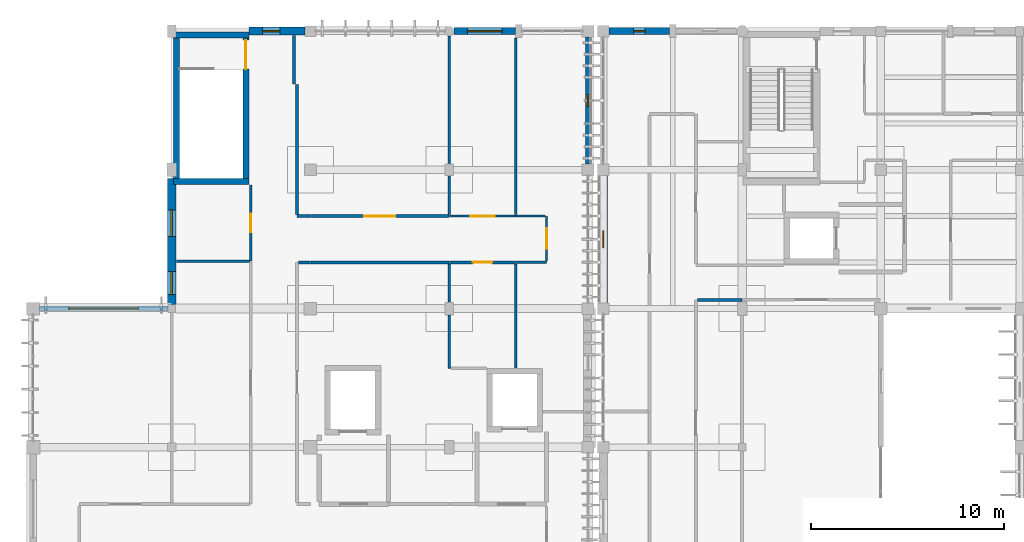
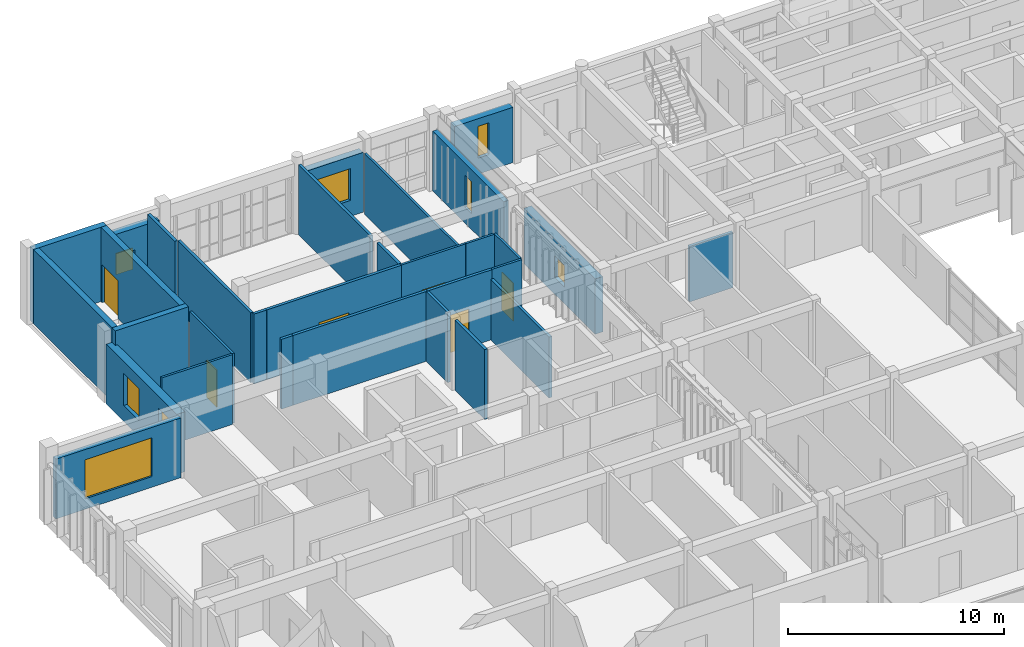
# One storey, part 38 of 55: 31 walls, 8 windows, 6 doors, 14 openings.
"""IFC4 building model written with IfcOpenShell, lengths in metres."""

from ifc_helpers import new_model, si_unit, direction, frame, frame_2d, origin, place, context, subcontext, project, spatial, rectangle, extrude, material, layer, layer_set, type_object, element, fill, save


model = new_model("IFC4")

# Units and contexts
model_context = context("Model", 3, precision=1e-05, world=origin(), true_north=direction((0.0, 1.0)))
body_context = subcontext(model_context, "Body", "Model", "MODEL_VIEW")
ifc_project = project(units=[si_unit("LENGTHUNIT", "METRE"), si_unit("AREAUNIT", "SQUARE_METRE"), si_unit("VOLUMEUNIT", "CUBIC_METRE"), si_unit("PLANEANGLEUNIT", "RADIAN"), si_unit("MASSUNIT", "GRAM", prefix="KILO")], contexts=[model_context])

# Site, building, storey
site_placement = place(None, origin())
site = spatial("IfcSite", under=ifc_project, at=site_placement, CompositionType="ELEMENT")
building_placement = place(site_placement, origin())
building = spatial("IfcBuilding", under=site, at=building_placement, Name="Steenspoor Specialist Clinic", CompositionType="ELEMENT")
storey_placement = place(building_placement, frame((0.0, 0.0, 13.199951171875)))
storey = spatial("IfcBuildingStorey", under=building, at=storey_placement, Name="L03", CompositionType="ELEMENT", Elevation=13.199951171875)

# Wall, opening, window
ifc_material_1 = material(Name="Extruded clay brick masonry", Category="masonry")
ifc_layer_1 = layer(ifc_material_1, 0.3798828125)
ifc_layer_set_1 = layer_set([ifc_layer_1], Name="Extruded clay brick masonry")
wall_type_1 = type_object("IfcWallType", Name="W-BRICK-380", PredefinedType="USERDEFINED", material=ifc_layer_set_1)
wall_1_placement = place(storey_placement, frame((52.699951171875, 108.35009765625, 0.0), z_axis=(0.0, 0.0, 1.0), x_axis=(1.0, 0.0, 0.0)))
wall_1 = element("IfcWall", 1, at=wall_1_placement, inside=storey, type_object=wall_type_1, Name="Exterior Brick Wall EW-V4-L03-0163", ObjectType="CAVITY VENEER", PredefinedType="USERDEFINED", context=body_context, shape_type="SweptSolid", body=[
    extrude(rectangle(XDim=3.130126953125, YDim=0.3798828125, at=frame_2d((1.56494140625, 0.0))), origin(), (0.0, 0.0, 1.0), 3.130126953125),
])
opening_1_placement = place(wall_1_placement, frame((1.264892578125, 0.0, 0.89990234375)))
opening_1 = element("IfcOpeningElement", 2, at=opening_1_placement, cuts=wall_1, Name="Opening WN-01", PredefinedType="OPENING", context=body_context, shape_type="SweptSolid", body=[
    extrude(rectangle(XDim=0.60009765625, YDim=1.800048828125, at=frame_2d((0.300048828125, 0.89990234375))), frame((0.0, 0.199951171875, 0.0), z_axis=(0.0, -1.0, 0.0), x_axis=(1.0, 0.0, 0.0)), (0.0, 0.0, 1.0), 0.39990234375),
])
ifc_material_2 = material(Name="Thermally broken aluminium and low-emissivity glass", Category="aluminium")
window_type_1 = type_object("IfcWindowType", Name="WN-EXT-060X180", PartitioningType="SINGLE_PANEL", PredefinedType="WINDOW", material=ifc_material_2)
window_1_placement = place(opening_1_placement, origin())
window_1 = element("IfcWindow", 3, at=window_1_placement, inside=storey, type_object=window_type_1, Name="Window 0190", OverallHeight=1.800048828125, OverallWidth=0.60009765625, PartitioningType="SINGLE_PANEL", PredefinedType="WINDOW", context=body_context, shape_type="SweptSolid", body=[
    extrude(rectangle(XDim=0.60009765625, YDim=1.800048828125, at=frame_2d((0.300048828125, 0.89990234375))), frame((0.0, 0.030029296875, 0.0), z_axis=(0.0, -1.0, 0.0), x_axis=(1.0, 0.0, 0.0)), (0.0, 0.0, 1.0), 0.06005859375),
])
fill(opening_1, window_1)

wall_2_placement = place(storey_placement, frame((44.64990234375, 108.35009765625, 0.0), z_axis=(0.0, 0.0, 1.0), x_axis=(1.0, 0.0, 0.0)))
wall_2 = element("IfcWall", 4, at=wall_2_placement, inside=storey, type_object=wall_type_1, Name="Exterior Brick Wall EW-V5-L03-0287", ObjectType="CAVITY VENEER", PredefinedType="USERDEFINED", context=body_context, shape_type="SweptSolid", body=[
    extrude(rectangle(XDim=3.18017578125, YDim=0.3798828125, at=frame_2d((1.590087890625, 0.0))), origin(), (0.0, 0.0, 1.0), 3.380126953125),
])
opening_2_placement = place(wall_2_placement, frame((0.68994140625, 0.0, 0.89990234375)))
opening_2 = element("IfcOpeningElement", 5, at=opening_2_placement, cuts=wall_2, Name="Opening WN-08", PredefinedType="OPENING", context=body_context, shape_type="SweptSolid", body=[
    extrude(rectangle(XDim=1.800048828125, YDim=1.800048828125, at=frame_2d((0.89990234375, 0.89990234375))), frame((0.0, 0.199951171875, 0.0), z_axis=(0.0, -1.0, 0.0), x_axis=(1.0, 0.0, 0.0)), (0.0, 0.0, 1.0), 0.39990234375),
])
window_type_2 = type_object("IfcWindowType", Name="WN-EXT-180X180", PartitioningType="SINGLE_PANEL", PredefinedType="WINDOW", material=ifc_material_2)
window_2_placement = place(opening_2_placement, origin())
window_2 = element("IfcWindow", 6, at=window_2_placement, inside=storey, type_object=window_type_2, Name="Window 0309", OverallHeight=1.800048828125, OverallWidth=1.800048828125, PartitioningType="SINGLE_PANEL", PredefinedType="WINDOW", context=body_context, shape_type="SweptSolid", body=[
    extrude(rectangle(XDim=1.800048828125, YDim=1.800048828125, at=frame_2d((0.89990234375, 0.89990234375))), frame((0.0, 0.030029296875, 0.0), z_axis=(0.0, -1.0, 0.0), x_axis=(1.0, 0.0, 0.0)), (0.0, 0.0, 1.0), 0.06005859375),
])
fill(opening_2, window_2)

ifc_layer_2 = layer(ifc_material_1, 0.409912109375)
ifc_layer_set_2 = layer_set([ifc_layer_2], Name="Extruded clay brick masonry")
wall_type_2 = type_object("IfcWallType", Name="W-BRICK-410", PredefinedType="USERDEFINED", material=ifc_layer_set_2)
wall_3_placement = place(storey_placement, frame((52.39990234375, 94.25, 0.0), z_axis=(0.0, 0.0, 1.0), x_axis=(0.0, 1.0, 0.0)))
wall_3 = element("IfcWall", 7, at=wall_3_placement, inside=storey, type_object=wall_type_2, Name="Exterior Brick Wall EW-V4-L03-0162", ObjectType="CAVITY VENEER", PredefinedType="USERDEFINED", context=body_context, shape_type="SweptSolid", body=[
    extrude(rectangle(XDim=6.60009765625, YDim=0.409912109375, at=frame_2d((3.300048828125, 0.0))), origin(), (0.0, 0.0, 1.0), 3.130126953125),
])
opening_3_placement = place(wall_3_placement, frame((2.85009765625, 0.0, 0.949951171875)))
opening_3 = element("IfcOpeningElement", 8, at=opening_3_placement, cuts=wall_3, Name="Opening WN-21", PredefinedType="OPENING", context=body_context, shape_type="SweptSolid", body=[
    extrude(rectangle(XDim=0.89990234375, YDim=1.199951171875, at=frame_2d((0.449951171875, 0.60009765625))), frame((0.0, 0.21484375, 0.0), z_axis=(0.0, -1.0, 0.0), x_axis=(1.0, 0.0, 0.0)), (0.0, 0.0, 1.0), 0.429931640625),
])
window_type_3 = type_object("IfcWindowType", Name="WN-EXT-090X120", PartitioningType="SINGLE_PANEL", PredefinedType="WINDOW", material=ifc_material_2)
window_3_placement = place(opening_3_placement, origin())
window_3 = element("IfcWindow", 9, at=window_3_placement, inside=storey, type_object=window_type_3, Name="Window 0189", OverallHeight=1.199951171875, OverallWidth=0.89990234375, PartitioningType="SINGLE_PANEL", PredefinedType="WINDOW", context=body_context, shape_type="SweptSolid", body=[
    extrude(rectangle(XDim=0.89990234375, YDim=1.199951171875, at=frame_2d((0.449951171875, 0.60009765625))), frame((0.0, 0.030029296875, 0.0), z_axis=(0.0, -1.0, 0.0), x_axis=(1.0, 0.0, 0.0)), (0.0, 0.0, 1.0), 0.06005859375),
])
fill(opening_3, window_3)

wall_4_placement = place(storey_placement, frame((34.0, 108.35009765625, 0.0), z_axis=(0.0, 0.0, 1.0), x_axis=(1.0, 0.0, 0.0)))
wall_4 = element("IfcWall", 10, at=wall_4_placement, inside=storey, type_object=wall_type_2, Name="Exterior Brick Wall EW-V5-L03-0286", ObjectType="CAVITY VENEER", PredefinedType="USERDEFINED", context=body_context, shape_type="SweptSolid", body=[
    extrude(rectangle(XDim=2.925048828125, YDim=0.409912109375, at=frame_2d((1.46240234375, 0.0))), origin(), (0.0, 0.0, 1.0), 3.380126953125),
])
opening_4_placement = place(wall_4_placement, frame((0.715087890625, 0.0, 0.949951171875)))
opening_4 = element("IfcOpeningElement", 11, at=opening_4_placement, cuts=wall_4, Name="Opening WN-21", PredefinedType="OPENING", context=body_context, shape_type="SweptSolid", body=[
    extrude(rectangle(XDim=0.89990234375, YDim=1.199951171875, at=frame_2d((0.449951171875, 0.60009765625))), frame((0.0, 0.21484375, 0.0), z_axis=(0.0, -1.0, 0.0), x_axis=(1.0, 0.0, 0.0)), (0.0, 0.0, 1.0), 0.429931640625),
])
window_4_placement = place(opening_4_placement, origin())
window_4 = element("IfcWindow", 12, at=window_4_placement, inside=storey, type_object=window_type_3, Name="Window 0308", OverallHeight=1.199951171875, OverallWidth=0.89990234375, PartitioningType="SINGLE_PANEL", PredefinedType="WINDOW", context=body_context, shape_type="SweptSolid", body=[
    extrude(rectangle(XDim=0.89990234375, YDim=1.199951171875, at=frame_2d((0.449951171875, 0.60009765625))), frame((0.0, 0.030029296875, 0.0), z_axis=(0.0, -1.0, 0.0), x_axis=(1.0, 0.0, 0.0)), (0.0, 0.0, 1.0), 0.06005859375),
])
fill(opening_4, window_4)

# Wall, openings, windows
ifc_layer_3 = layer(ifc_material_1, 0.43994140625)
ifc_layer_set_3 = layer_set([ifc_layer_3], Name="Extruded clay brick masonry")
wall_type_3 = type_object("IfcWallType", Name="W-BRICK-440", PredefinedType="USERDEFINED", material=ifc_layer_set_3)
wall_5_placement = place(storey_placement, frame((30.0, 94.14990234375, 0.0), z_axis=(0.0, 0.0, 1.0), x_axis=(0.0, 1.0, 0.0)))
wall_5 = element("IfcWall", 13, at=wall_5_placement, inside=storey, type_object=wall_type_3, Name="Exterior Brick Wall EW-V5-L03-0285", ObjectType="CAVITY VENEER", PredefinedType="USERDEFINED", context=body_context, shape_type="SweptSolid", body=[
    extrude(rectangle(XDim=6.550048828125, YDim=0.43994140625, at=frame_2d((3.27490234375, 0.0))), origin(), (0.0, 0.0, 1.0), 3.380126953125),
])
opening_5_placement = place(wall_5_placement, frame((0.517578125, 0.0, 0.89990234375)))
opening_5 = element("IfcOpeningElement", 14, at=opening_5_placement, cuts=wall_5, Name="Opening WN-05", PredefinedType="OPENING", context=body_context, shape_type="SweptSolid", body=[
    extrude(rectangle(XDim=1.199951171875, YDim=1.800048828125, at=frame_2d((0.60009765625, 0.89990234375))), frame((0.0, 0.22998046875, 0.0), z_axis=(0.0, -1.0, 0.0), x_axis=(1.0, 0.0, 0.0)), (0.0, 0.0, 1.0), 0.4599609375),
])
opening_6_placement = place(wall_5_placement, frame((3.527587890625, 0.0, 0.89990234375)))
opening_6 = element("IfcOpeningElement", 15, at=opening_6_placement, cuts=wall_5, Name="Opening WN-06", PredefinedType="OPENING", context=body_context, shape_type="SweptSolid", body=[
    extrude(rectangle(XDim=1.39990234375, YDim=1.800048828125, at=frame_2d((0.699951171875, 0.89990234375))), frame((0.0, 0.22998046875, 0.0), z_axis=(0.0, -1.0, 0.0), x_axis=(1.0, 0.0, 0.0)), (0.0, 0.0, 1.0), 0.4599609375),
])
window_type_4 = type_object("IfcWindowType", Name="WN-EXT-120X180", PartitioningType="SINGLE_PANEL", PredefinedType="WINDOW", material=ifc_material_2)
window_5_placement = place(opening_5_placement, origin())
window_5 = element("IfcWindow", 16, at=window_5_placement, inside=storey, type_object=window_type_4, Name="Window 0306", OverallHeight=1.800048828125, OverallWidth=1.199951171875, PartitioningType="SINGLE_PANEL", PredefinedType="WINDOW", context=body_context, shape_type="SweptSolid", body=[
    extrude(rectangle(XDim=1.199951171875, YDim=1.800048828125, at=frame_2d((0.60009765625, 0.89990234375))), frame((0.0, 0.030029296875, 0.0), z_axis=(0.0, -1.0, 0.0), x_axis=(1.0, 0.0, 0.0)), (0.0, 0.0, 1.0), 0.06005859375),
])
fill(opening_5, window_5)
window_type_5 = type_object("IfcWindowType", Name="WN-EXT-140X180", PartitioningType="SINGLE_PANEL", PredefinedType="WINDOW", material=ifc_material_2)
window_6_placement = place(opening_6_placement, origin())
window_6 = element("IfcWindow", 17, at=window_6_placement, inside=storey, type_object=window_type_5, Name="Window 0307", OverallHeight=1.800048828125, OverallWidth=1.39990234375, PartitioningType="SINGLE_PANEL", PredefinedType="WINDOW", context=body_context, shape_type="SweptSolid", body=[
    extrude(rectangle(XDim=1.39990234375, YDim=1.800048828125, at=frame_2d((0.699951171875, 0.89990234375))), frame((0.0, 0.030029296875, 0.0), z_axis=(0.0, -1.0, 0.0), x_axis=(1.0, 0.0, 0.0)), (0.0, 0.0, 1.0), 0.06005859375),
])
fill(opening_6, window_6)

# Walls
ifc_material_3 = material(Name="Gypsum acoustic clinical partition", Category="gypsum")
ifc_layer_4 = layer(ifc_material_3, 0.14990234375)
ifc_layer_set_4 = layer_set([ifc_layer_4], Name="Gypsum acoustic clinical partition")
wall_type_4 = type_object("IfcWallType", Name="W-CLIN-150", PredefinedType="PARTITIONING", material=ifc_layer_set_4)
wall_6_placement = place(storey_placement, frame((57.2900390625, 94.39990234375, 0.0), z_axis=(0.0, 0.0, 1.0), x_axis=(1.0, 0.0, 0.0)))
element("IfcWall", 18, at=wall_6_placement, inside=storey, type_object=wall_type_4, Name="Interior Partition IW-V4-L03-1574", PredefinedType="PARTITIONING", context=body_context, shape_type="SweptSolid", body=[
    extrude(rectangle(XDim=2.31005859375, YDim=0.14990234375, at=frame_2d((1.155029296875, 0.0))), origin(), (0.0, 0.0, 1.0), 3.135009765625),
])
wall_7_placement = place(storey_placement, frame((36.590087890625, 96.35009765625, 0.0), z_axis=(0.0, 0.0, 1.0), x_axis=(1.0, 0.0, 0.0)))
element("IfcWall", 19, at=wall_7_placement, inside=storey, type_object=wall_type_4, Name="Interior Partition IW-V5-L03-1601", PredefinedType="PARTITIONING", context=body_context, shape_type="SweptSolid", body=[
    extrude(rectangle(XDim=0.60986328125, YDim=0.14990234375, at=frame_2d((0.304931640625, 0.0))), origin(), (0.0, 0.0, 1.0), 3.949951171875),
])
wall_8_placement = place(storey_placement, frame((37.215087890625, 96.35009765625, 0.0), z_axis=(0.0, 0.0, 1.0), x_axis=(1.0, 0.0, 0.0)))
element("IfcWall", 20, at=wall_8_placement, inside=storey, type_object=wall_type_4, Name="Interior Partition IW-V5-L03-1602", PredefinedType="PARTITIONING", context=body_context, shape_type="SweptSolid", body=[
    extrude(rectangle(XDim=7.184814453125, YDim=0.14990234375, at=frame_2d((3.59228515625, 0.0))), origin(), (0.0, 0.0, 1.0), 3.949951171875),
])

# Wall, opening, door
wall_9_placement = place(storey_placement, frame((44.4150390625, 96.35009765625, 0.0), z_axis=(0.0, 0.0, 1.0), x_axis=(1.0, 0.0, 0.0)))
wall_9 = element("IfcWall", 21, at=wall_9_placement, inside=storey, type_object=wall_type_4, Name="Interior Partition IW-V5-L03-1604", PredefinedType="PARTITIONING", context=body_context, shape_type="SweptSolid", body=[
    extrude(rectangle(XDim=3.43505859375, YDim=0.14990234375, at=frame_2d((1.717529296875, 0.0))), origin(), (0.0, 0.0, 1.0), 3.949951171875),
])
opening_7_placement = place(wall_9_placement, frame((1.217529296875, 0.0, 0.0)))
opening_7 = element("IfcOpeningElement", 22, at=opening_7_placement, cuts=wall_9, Name="Opening D0395", PredefinedType="OPENING", context=body_context, shape_type="SweptSolid", body=[
    extrude(rectangle(XDim=1.0, YDim=2.14990234375, at=frame_2d((0.5, 1.074951171875))), frame((0.0, 0.0849609375, 0.0), z_axis=(0.0, -1.0, 0.0), x_axis=(1.0, 0.0, 0.0)), (0.0, 0.0, 1.0), 0.169921875),
])
ifc_material_4 = material(Name="Moisture-resistant HPL accessible WC door", Category="wood")
door_type_1 = type_object("IfcDoorType", Name="DT-AWC-100X215", OperationType="NOTDEFINED", PredefinedType="DOOR", material=ifc_material_4)
door_1_placement = place(opening_7_placement, origin())
door_1 = element("IfcDoor", 23, at=door_1_placement, inside=storey, type_object=door_type_1, Name="Clinical Door D0395", OperationType="SINGLE_SWING_RIGHT", OverallHeight=2.14990234375, OverallWidth=1.0, PredefinedType="DOOR", context=body_context, shape_type="SweptSolid", body=[
    extrude(rectangle(XDim=1.0, YDim=2.14990234375, at=frame_2d((0.5, 1.074951171875))), frame((0.0, 0.02490234375, 0.0), z_axis=(0.0, -1.0, 0.0), x_axis=(1.0, 0.0, 0.0)), (0.0, 0.0, 1.0), 0.050048828125),
])
fill(opening_7, door_1)

# Wall
wall_10_placement = place(storey_placement, frame((36.35009765625, 105.60009765625, 0.0), z_axis=(0.0, 0.0, 1.0), x_axis=(0.0, 1.0, 0.0)))
element("IfcWall", 24, at=wall_10_placement, inside=storey, type_object=wall_type_4, Name="Interior Partition IW-V5-L03-1605", PredefinedType="PARTITIONING", context=body_context, shape_type="SweptSolid", body=[
    extrude(rectangle(XDim=2.52978515625, YDim=0.14990234375, at=frame_2d((1.264892578125, 0.0))), origin(), (0.0, 0.0, 1.0), 3.949951171875),
])

# Wall, opening, door
wall_11_placement = place(storey_placement, frame((37.199951171875, 98.75, 0.0), z_axis=(0.0, 0.0, 1.0), x_axis=(1.0, 0.0, 0.0)))
wall_11 = element("IfcWall", 25, at=wall_11_placement, inside=storey, type_object=wall_type_4, Name="Interior Partition IW-V5-L03-1606", PredefinedType="PARTITIONING", context=body_context, shape_type="SweptSolid", body=[
    extrude(rectangle(XDim=7.199951171875, YDim=0.14990234375, at=frame_2d((3.60009765625, 0.0))), origin(), (0.0, 0.0, 1.0), 3.949951171875),
])
opening_8_placement = place(wall_11_placement, frame((2.800048828125, 0.0, 0.0)))
opening_8 = element("IfcOpeningElement", 26, at=opening_8_placement, cuts=wall_11, Name="Opening D0397", PredefinedType="OPENING", context=body_context, shape_type="SweptSolid", body=[
    extrude(rectangle(XDim=1.60009765625, YDim=2.25, at=frame_2d((0.800048828125, 1.125))), frame((0.0, 0.0849609375, 0.0), z_axis=(0.0, -1.0, 0.0), x_axis=(1.0, 0.0, 0.0)), (0.0, 0.0, 1.0), 0.169921875),
])
ifc_material_5 = material(Name="Hygienic HPL clinical timber door", Category="wood")
door_type_2 = type_object("IfcDoorType", Name="DT-PROC-160X225", OperationType="NOTDEFINED", PredefinedType="DOOR", material=ifc_material_5)
door_2_placement = place(opening_8_placement, origin())
door_2 = element("IfcDoor", 27, at=door_2_placement, inside=storey, type_object=door_type_2, Name="Clinical Door D0397", OperationType="SINGLE_SWING_RIGHT", OverallHeight=2.25, OverallWidth=1.60009765625, PredefinedType="DOOR", context=body_context, shape_type="SweptSolid", body=[
    extrude(rectangle(XDim=1.60009765625, YDim=2.25, at=frame_2d((0.800048828125, 1.125))), frame((0.0, 0.02490234375, 0.0), z_axis=(0.0, -1.0, 0.0), x_axis=(1.0, 0.0, 0.0)), (0.0, 0.0, 1.0), 0.050048828125),
])
fill(opening_8, door_2)

# Walls
wall_12_placement = place(storey_placement, frame((36.5, 98.75, 0.0), z_axis=(0.0, 0.0, 1.0), x_axis=(1.0, 0.0, 0.0)))
element("IfcWall", 28, at=wall_12_placement, inside=storey, type_object=wall_type_4, Name="Interior Partition IW-V5-L03-1607", PredefinedType="PARTITIONING", context=body_context, shape_type="SweptSolid", body=[
    extrude(rectangle(XDim=0.68505859375, YDim=0.14990234375, at=frame_2d((0.342529296875, 0.0))), origin(), (0.0, 0.0, 1.0), 3.949951171875),
])
wall_13_placement = place(storey_placement, frame((36.5, 98.840087890625, 0.0), z_axis=(0.0, 0.0, 1.0), x_axis=(0.0, 1.0, 0.0)))
element("IfcWall", 29, at=wall_13_placement, inside=storey, type_object=wall_type_4, Name="Interior Partition IW-V5-L03-1608", PredefinedType="PARTITIONING", context=body_context, shape_type="SweptSolid", body=[
    extrude(rectangle(XDim=6.744873046875, YDim=0.14990234375, at=frame_2d((3.37255859375, 0.0))), origin(), (0.0, 0.0, 1.0), 3.949951171875),
])
wall_14_placement = place(storey_placement, frame((44.39990234375, 90.85009765625, 0.0), z_axis=(0.0, 0.0, 1.0), x_axis=(0.0, 1.0, 0.0)))
element("IfcWall", 30, at=wall_14_placement, inside=storey, type_object=wall_type_4, Name="Interior Partition IW-V5-L03-1748", PredefinedType="PARTITIONING", context=body_context, shape_type="SweptSolid", body=[
    extrude(rectangle(XDim=2.760009765625, YDim=0.14990234375, at=frame_2d((1.3798828125, 0.0))), origin(), (0.0, 0.0, 1.0), 3.949951171875),
])
wall_15_placement = place(storey_placement, frame((44.39990234375, 94.2900390625, 0.0), z_axis=(0.0, 0.0, 1.0), x_axis=(0.0, 1.0, 0.0)))
element("IfcWall", 31, at=wall_15_placement, inside=storey, type_object=wall_type_4, Name="Interior Partition IW-V5-L03-1749", PredefinedType="PARTITIONING", context=body_context, shape_type="SweptSolid", body=[
    extrude(rectangle(XDim=1.969970703125, YDim=0.14990234375, at=frame_2d((0.98486328125, 0.0))), origin(), (0.0, 0.0, 1.0), 3.949951171875),
])
wall_16_placement = place(storey_placement, frame((47.85009765625, 90.864990234375, 0.0), z_axis=(0.0, 0.0, 1.0), x_axis=(0.0, 1.0, 0.0)))
element("IfcWall", 32, at=wall_16_placement, inside=storey, type_object=wall_type_4, Name="Interior Partition IW-V5-L03-1751", PredefinedType="PARTITIONING", context=body_context, shape_type="SweptSolid", body=[
    extrude(rectangle(XDim=5.39501953125, YDim=0.14990234375, at=frame_2d((2.697509765625, 0.0))), origin(), (0.0, 0.0, 1.0), 3.43994140625),
])
wall_17_placement = place(storey_placement, frame((44.39990234375, 98.840087890625, 0.0), z_axis=(0.0, 0.0, 1.0), x_axis=(0.0, 1.0, 0.0)))
element("IfcWall", 33, at=wall_17_placement, inside=storey, type_object=wall_type_4, Name="Interior Partition IW-V5-L03-1752", PredefinedType="PARTITIONING", context=body_context, shape_type="SweptSolid", body=[
    extrude(rectangle(XDim=1.994873046875, YDim=0.14990234375, at=frame_2d((0.99755859375, 0.0))), origin(), (0.0, 0.0, 1.0), 3.949951171875),
])
wall_18_placement = place(storey_placement, frame((44.39990234375, 101.465087890625, 0.0), z_axis=(0.0, 0.0, 1.0), x_axis=(0.0, 1.0, 0.0)))
element("IfcWall", 34, at=wall_18_placement, inside=storey, type_object=wall_type_4, Name="Interior Partition IW-V5-L03-1753", PredefinedType="PARTITIONING", context=body_context, shape_type="SweptSolid", body=[
    extrude(rectangle(XDim=6.619873046875, YDim=0.14990234375, at=frame_2d((3.31005859375, 0.0))), origin(), (0.0, 0.0, 1.0), 3.949951171875),
])
ifc_material_6 = material(Name="Concrete C40/50", Category="concrete")
ifc_layer_5 = layer(ifc_material_6, 0.330078125)
ifc_layer_set_5 = layer_set([ifc_layer_5], Name="Concrete C40/50")
wall_type_5 = type_object("IfcWallType", Name="W-ESW-330", PredefinedType="SHEAR", material=ifc_layer_set_5)
wall_19_placement = place(storey_placement, frame((30.10009765625, 108.14990234375, 0.0), z_axis=(0.0, 0.0, 1.0), x_axis=(1.0, 0.0, 0.0)))
element("IfcWall", 35, at=wall_19_placement, inside=storey, type_object=wall_type_5, Name="Core Shear Wall SW-ST-V5A-L03-N", PredefinedType="SHEAR", context=body_context, shape_type="SweptSolid", body=[
    extrude(rectangle(XDim=3.89990234375, YDim=0.330078125, at=frame_2d((1.949951171875, 0.0))), origin(), (0.0, 0.0, 1.0), 4.199951171875),
])
ifc_material_7 = material(Name="Gypsum studio partition board", Category="gypsum")
ifc_layer_6 = layer(ifc_material_7, 0.1201171875)
ifc_layer_set_6 = layer_set([ifc_layer_6], Name="Gypsum studio partition board")
wall_type_6 = type_object("IfcWallType", Name="W-PART-120", PredefinedType="PARTITIONING", material=ifc_layer_set_6)
wall_20_placement = place(storey_placement, frame((47.864990234375, 96.35009765625, 0.0), z_axis=(0.0, 0.0, 1.0), x_axis=(1.0, 0.0, 0.0)))
element("IfcWall", 36, at=wall_20_placement, inside=storey, type_object=wall_type_6, Name="Interior Partition IW-V5-L03-1675", PredefinedType="PARTITIONING", context=body_context, shape_type="SweptSolid", body=[
    extrude(rectangle(XDim=1.5849609375, YDim=0.1201171875, at=frame_2d((0.79248046875, 0.0))), origin(), (0.0, 0.0, 1.0), 3.949951171875),
])

# Wall, opening, door
wall_21_placement = place(storey_placement, frame((49.449951171875, 96.425048828125, 0.0), z_axis=(0.0, 0.0, 1.0), x_axis=(0.0, 1.0, 0.0)))
wall_21 = element("IfcWall", 37, at=wall_21_placement, inside=storey, type_object=wall_type_6, Name="Interior Partition IW-V5-L03-1676", PredefinedType="PARTITIONING", context=body_context, shape_type="SweptSolid", body=[
    extrude(rectangle(XDim=2.324951171875, YDim=0.1201171875, at=frame_2d((1.16259765625, 0.0))), origin(), (0.0, 0.0, 1.0), 3.949951171875),
])
opening_9_placement = place(wall_21_placement, frame((0.637451171875, 0.0, 0.0)))
opening_9 = element("IfcOpeningElement", 38, at=opening_9_placement, cuts=wall_21, Name="Opening D0394", PredefinedType="OPENING", context=body_context, shape_type="SweptSolid", body=[
    extrude(rectangle(XDim=1.050048828125, YDim=2.14990234375, at=frame_2d((0.52490234375, 1.074951171875))), frame((0.0, 0.070068359375, 0.0), z_axis=(0.0, -1.0, 0.0), x_axis=(1.0, 0.0, 0.0)), (0.0, 0.0, 1.0), 0.14013671875),
])
ifc_material_8 = material(Name="Solid-core hardwood office door", Category="wood")
door_type_3 = type_object("IfcDoorType", Name="DT-OFF-105X215", OperationType="NOTDEFINED", PredefinedType="DOOR", material=ifc_material_8)
door_3_placement = place(opening_9_placement, origin())
door_3 = element("IfcDoor", 39, at=door_3_placement, inside=storey, type_object=door_type_3, Name="Clinical Door D0394", OperationType="SINGLE_SWING_LEFT", OverallHeight=2.14990234375, OverallWidth=1.050048828125, PredefinedType="DOOR", context=body_context, shape_type="SweptSolid", body=[
    extrude(rectangle(XDim=1.050048828125, YDim=2.14990234375, at=frame_2d((0.52490234375, 1.074951171875))), frame((0.0, 0.02490234375, 0.0), z_axis=(0.0, -1.0, 0.0), x_axis=(1.0, 0.0, 0.0)), (0.0, 0.0, 1.0), 0.050048828125),
])
fill(opening_9, door_3)

# Wall
wall_22_placement = place(storey_placement, frame((47.85009765625, 98.75, 0.0), z_axis=(0.0, 0.0, 1.0), x_axis=(1.0, 0.0, 0.0)))
element("IfcWall", 40, at=wall_22_placement, inside=storey, type_object=wall_type_6, Name="Interior Partition IW-V5-L03-1677", PredefinedType="PARTITIONING", context=body_context, shape_type="SweptSolid", body=[
    extrude(rectangle(XDim=1.52490234375, YDim=0.1201171875, at=frame_2d((0.762451171875, 0.0))), origin(), (0.0, 0.0, 1.0), 3.949951171875),
])

# Wall, opening, door
wall_23_placement = place(storey_placement, frame((34.10009765625, 96.419921875, 0.0), z_axis=(0.0, 0.0, 1.0), x_axis=(0.0, 1.0, 0.0)))
wall_23 = element("IfcWall", 41, at=wall_23_placement, inside=storey, type_object=wall_type_6, Name="Interior Partition IW-V5-L03-1678", PredefinedType="PARTITIONING", context=body_context, shape_type="SweptSolid", body=[
    extrude(rectangle(XDim=3.93017578125, YDim=0.1201171875, at=frame_2d((1.965087890625, 0.0))), origin(), (0.0, 0.0, 1.0), 3.949951171875),
])
opening_10_placement = place(wall_23_placement, frame((1.489990234375, 0.0, 0.0)))
opening_10 = element("IfcOpeningElement", 42, at=opening_10_placement, cuts=wall_23, Name="Opening D0396", PredefinedType="OPENING", context=body_context, shape_type="SweptSolid", body=[
    extrude(rectangle(XDim=0.949951171875, YDim=2.10009765625, at=frame_2d((0.47509765625, 1.050048828125))), frame((0.0, 0.070068359375, 0.0), z_axis=(0.0, -1.0, 0.0), x_axis=(1.0, 0.0, 0.0)), (0.0, 0.0, 1.0), 0.14013671875),
])
ifc_material_9 = material(Name="Moisture-resistant HPL sanitary door", Category="wood")
door_type_4 = type_object("IfcDoorType", Name="DT-WC-095X210", OperationType="NOTDEFINED", PredefinedType="DOOR", material=ifc_material_9)
door_4_placement = place(opening_10_placement, origin())
door_4 = element("IfcDoor", 43, at=door_4_placement, inside=storey, type_object=door_type_4, Name="Clinical Door D0396", OperationType="SINGLE_SWING_LEFT", OverallHeight=2.10009765625, OverallWidth=0.949951171875, PredefinedType="DOOR", context=body_context, shape_type="SweptSolid", body=[
    extrude(rectangle(XDim=0.949951171875, YDim=2.10009765625, at=frame_2d((0.47509765625, 1.050048828125))), frame((0.0, 0.02490234375, 0.0), z_axis=(0.0, -1.0, 0.0), x_axis=(1.0, 0.0, 0.0)), (0.0, 0.0, 1.0), 0.050048828125),
])
fill(opening_10, door_4)

wall_24_placement = place(storey_placement, frame((44.4150390625, 98.75, 0.0), z_axis=(0.0, 0.0, 1.0), x_axis=(1.0, 0.0, 0.0)))
wall_24 = element("IfcWall", 44, at=wall_24_placement, inside=storey, type_object=wall_type_6, Name="Interior Partition IW-V5-L03-1679", PredefinedType="PARTITIONING", context=body_context, shape_type="SweptSolid", body=[
    extrude(rectangle(XDim=3.419921875, YDim=0.1201171875, at=frame_2d((1.7099609375, 0.0))), origin(), (0.0, 0.0, 1.0), 3.949951171875),
])
opening_11_placement = place(wall_24_placement, frame((1.0849609375, 0.0, 0.0)))
opening_11 = element("IfcOpeningElement", 45, at=opening_11_placement, cuts=wall_24, Name="Opening D0398", PredefinedType="OPENING", context=body_context, shape_type="SweptSolid", body=[
    extrude(rectangle(XDim=1.25, YDim=2.14990234375, at=frame_2d((0.625, 1.074951171875))), frame((0.0, 0.070068359375, 0.0), z_axis=(0.0, -1.0, 0.0), x_axis=(1.0, 0.0, 0.0)), (0.0, 0.0, 1.0), 0.14013671875),
])
door_type_5 = type_object("IfcDoorType", Name="DT-EXAM-125X215", OperationType="NOTDEFINED", PredefinedType="DOOR", material=ifc_material_5)
door_5_placement = place(opening_11_placement, origin())
door_5 = element("IfcDoor", 46, at=door_5_placement, inside=storey, type_object=door_type_5, Name="Clinical Door D0398", OperationType="SINGLE_SWING_LEFT", OverallHeight=2.14990234375, OverallWidth=1.25, PredefinedType="DOOR", context=body_context, shape_type="SweptSolid", body=[
    extrude(rectangle(XDim=1.25, YDim=2.14990234375, at=frame_2d((0.625, 1.074951171875))), frame((0.0, 0.02490234375, 0.0), z_axis=(0.0, -1.0, 0.0), x_axis=(1.0, 0.0, 0.0)), (0.0, 0.0, 1.0), 0.050048828125),
])
fill(opening_11, door_5)

# Walls
wall_25_placement = place(storey_placement, frame((30.235107421875, 96.405029296875, 0.0), z_axis=(0.0, 0.0, 1.0), x_axis=(1.0, 0.0, 0.0)))
element("IfcWall", 47, at=wall_25_placement, inside=storey, type_object=wall_type_6, Name="Interior Partition IW-V5-L03-1780", PredefinedType="PARTITIONING", context=body_context, shape_type="SweptSolid", body=[
    extrude(rectangle(XDim=3.789794921875, YDim=0.1201171875, at=frame_2d((1.89501953125, 0.0))), origin(), (0.0, 0.0, 1.0), 3.949951171875),
])
wall_26_placement = place(storey_placement, frame((47.85009765625, 98.824951171875, 0.0), z_axis=(0.0, 0.0, 1.0), x_axis=(0.0, 1.0, 0.0)))
element("IfcWall", 48, at=wall_26_placement, inside=storey, type_object=wall_type_6, Name="Interior Partition IW-V5-L03-1781", PredefinedType="PARTITIONING", context=body_context, shape_type="SweptSolid", body=[
    extrude(rectangle(XDim=9.170166015625, YDim=0.1201171875, at=frame_2d((4.5849609375, 0.0))), origin(), (0.0, 0.0, 1.0), 3.43994140625),
])

# Wall, opening, window
ifc_layer_7 = layer(ifc_material_1, 0.260009765625)
ifc_layer_set_7 = layer_set([ifc_layer_7], Name="Extruded clay brick masonry")
wall_type_7 = type_object("IfcWallType", Name="W-SCREEN-260", PredefinedType="SOLIDWALL", material=ifc_layer_set_7)
wall_27_placement = place(storey_placement, frame((23.125, 93.949951171875, 0.0), z_axis=(0.0, 0.0, 1.0), x_axis=(1.0, 0.0, 0.0)))
wall_27 = element("IfcWall", 49, at=wall_27_placement, inside=storey, type_object=wall_type_7, Name="Exterior Brick Wall EW-V5-L03-0284", PredefinedType="SOLIDWALL", context=body_context, shape_type="SweptSolid", body=[
    extrude(rectangle(XDim=6.675048828125, YDim=0.260009765625, at=frame_2d((3.33740234375, 0.0))), origin(), (0.0, 0.0, 1.0), 3.380126953125),
])
opening_12_placement = place(wall_27_placement, frame((1.53759765625, 0.0, 0.60009765625)))
opening_12 = element("IfcOpeningElement", 50, at=opening_12_placement, cuts=wall_27, Name="Opening WN-20", PredefinedType="OPENING", context=body_context, shape_type="SweptSolid", body=[
    extrude(rectangle(XDim=3.60009765625, YDim=2.199951171875, at=frame_2d((1.800048828125, 1.10009765625))), frame((0.0, 0.14013671875, 0.0), z_axis=(0.0, -1.0, 0.0), x_axis=(1.0, 0.0, 0.0)), (0.0, 0.0, 1.0), 0.280029296875),
])
window_type_6 = type_object("IfcWindowType", Name="WN-EXT-360X220", PartitioningType="SINGLE_PANEL", PredefinedType="WINDOW", material=ifc_material_2)
window_7_placement = place(opening_12_placement, origin())
window_7 = element("IfcWindow", 51, at=window_7_placement, inside=storey, type_object=window_type_6, Name="Window 0305", OverallHeight=2.199951171875, OverallWidth=3.60009765625, PartitioningType="SINGLE_PANEL", PredefinedType="WINDOW", context=body_context, shape_type="SweptSolid", body=[
    extrude(rectangle(XDim=3.60009765625, YDim=2.199951171875, at=frame_2d((1.800048828125, 1.10009765625))), frame((0.0, 0.030029296875, 0.0), z_axis=(0.0, -1.0, 0.0), x_axis=(1.0, 0.0, 0.0)), (0.0, 0.0, 1.0), 0.06005859375),
])
fill(opening_12, window_7)

wall_28_placement = place(storey_placement, frame((51.60009765625, 108.050048828125, 0.0), z_axis=(0.0, 0.0, 1.0), x_axis=(0.0, -1.0, 0.0)))
wall_28 = element("IfcWall", 52, at=wall_28_placement, inside=storey, type_object=wall_type_7, Name="Exterior Brick Wall EW-V5-L03-0288", PredefinedType="SOLIDWALL", context=body_context, shape_type="SweptSolid", body=[
    extrude(rectangle(XDim=6.60009765625, YDim=0.260009765625, at=frame_2d((3.300048828125, 0.0))), origin(), (0.0, 0.0, 1.0), 3.380126953125),
])
opening_13_placement = place(wall_28_placement, frame((3.0, 0.0, 0.89990234375)))
opening_13 = element("IfcOpeningElement", 53, at=opening_13_placement, cuts=wall_28, Name="Opening WN-01", PredefinedType="OPENING", context=body_context, shape_type="SweptSolid", body=[
    extrude(rectangle(XDim=0.60009765625, YDim=1.800048828125, at=frame_2d((0.300048828125, 0.89990234375))), frame((0.0, 0.14013671875, 0.0), z_axis=(0.0, -1.0, 0.0), x_axis=(1.0, 0.0, 0.0)), (0.0, 0.0, 1.0), 0.280029296875),
])
window_8_placement = place(opening_13_placement, origin())
window_8 = element("IfcWindow", 54, at=window_8_placement, inside=storey, type_object=window_type_1, Name="Window 0310", OverallHeight=1.800048828125, OverallWidth=0.60009765625, PartitioningType="SINGLE_PANEL", PredefinedType="WINDOW", context=body_context, shape_type="SweptSolid", body=[
    extrude(rectangle(XDim=0.60009765625, YDim=1.800048828125, at=frame_2d((0.300048828125, 0.89990234375))), frame((0.0, 0.030029296875, 0.0), z_axis=(0.0, -1.0, 0.0), x_axis=(1.0, 0.0, 0.0)), (0.0, 0.0, 1.0), 0.06005859375),
])
fill(opening_13, window_8)

# Walls
ifc_layer_8 = layer(ifc_material_6, 0.300048828125)
ifc_layer_set_8 = layer_set([ifc_layer_8], Name="Concrete C40/50")
wall_type_8 = type_object("IfcWallType", Name="W-SW-300", PredefinedType="SHEAR", material=ifc_layer_set_8)
wall_29_placement = place(storey_placement, frame((30.10009765625, 100.550048828125, 0.0), z_axis=(0.0, 0.0, 1.0), x_axis=(1.0, 0.0, 0.0)))
element("IfcWall", 55, at=wall_29_placement, inside=storey, type_object=wall_type_8, Name="Core Shear Wall SW-ST-V5A-L03-S", PredefinedType="SHEAR", context=body_context, shape_type="SweptSolid", body=[
    extrude(rectangle(XDim=3.89990234375, YDim=0.300048828125, at=frame_2d((1.949951171875, 0.0))), origin(), (0.0, 0.0, 1.0), 4.199951171875),
])
wall_30_placement = place(storey_placement, frame((30.25, 100.699951171875, 0.0), z_axis=(0.0, 0.0, 1.0), x_axis=(0.0, 1.0, 0.0)))
element("IfcWall", 56, at=wall_30_placement, inside=storey, type_object=wall_type_8, Name="Core Shear Wall SW-ST-V5A-L03-W", PredefinedType="SHEAR", context=body_context, shape_type="SweptSolid", body=[
    extrude(rectangle(XDim=7.300048828125, YDim=0.300048828125, at=frame_2d((3.64990234375, 0.0))), origin(), (0.0, 0.0, 1.0), 4.199951171875),
])

# Wall, opening, door
wall_31_placement = place(storey_placement, frame((33.85009765625, 100.699951171875, 0.0), z_axis=(0.0, 0.0, 1.0), x_axis=(0.0, 1.0, 0.0)))
wall_31 = element("IfcWall", 57, at=wall_31_placement, inside=storey, type_object=wall_type_8, Name="Core Shear Wall SW-ST-V5A-L03-E", PredefinedType="SHEAR", context=body_context, shape_type="SweptSolid", body=[
    extrude(rectangle(XDim=7.300048828125, YDim=0.300048828125, at=frame_2d((3.64990234375, 0.0))), origin(), (0.0, 0.0, 1.0), 4.199951171875),
])
opening_14_placement = place(wall_31_placement, frame((5.679931640625, 0.0, 0.0)))
opening_14 = element("IfcOpeningElement", 58, at=opening_14_placement, cuts=wall_31, Name="Opening SD030", PredefinedType="OPENING", context=body_context, shape_type="SweptSolid", body=[
    extrude(rectangle(XDim=1.5, YDim=2.14990234375, at=frame_2d((0.75, 1.074951171875))), frame((0.0, 0.16015625, 0.0), z_axis=(0.0, -1.0, 0.0), x_axis=(1.0, 0.0, 0.0)), (0.0, 0.0, 1.0), 0.320068359375),
])
ifc_material_10 = material(Name="Fire-rated steel acoustic door", Category="steel")
door_type_6 = type_object("IfcDoorType", Name="DT-STAIR-150X215", OperationType="NOTDEFINED", PredefinedType="DOOR", material=ifc_material_10)
door_6_placement = place(opening_14_placement, origin())
door_6 = element("IfcDoor", 59, at=door_6_placement, inside=storey, type_object=door_type_6, Name="Exit Stair Fire Door SD030", OperationType="SINGLE_SWING_LEFT", OverallHeight=2.14990234375, OverallWidth=1.5, PredefinedType="DOOR", context=body_context, shape_type="SweptSolid", body=[
    extrude(rectangle(XDim=1.5, YDim=2.14990234375, at=frame_2d((0.75, 1.074951171875))), frame((0.0, 0.02490234375, 0.0), z_axis=(0.0, -1.0, 0.0), x_axis=(1.0, 0.0, 0.0)), (0.0, 0.0, 1.0), 0.050048828125),
])
fill(opening_14, door_6)

save(model, "model.ifc")
